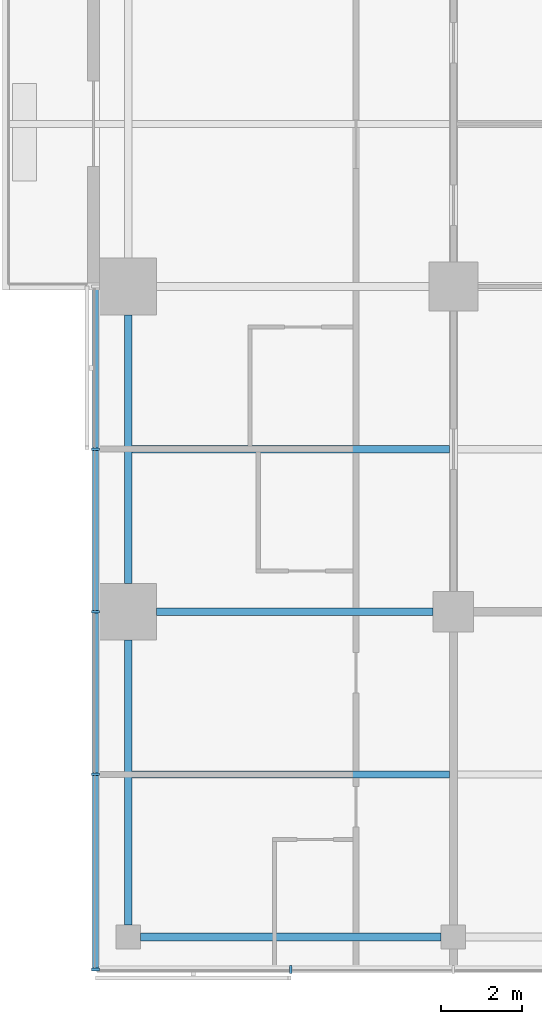
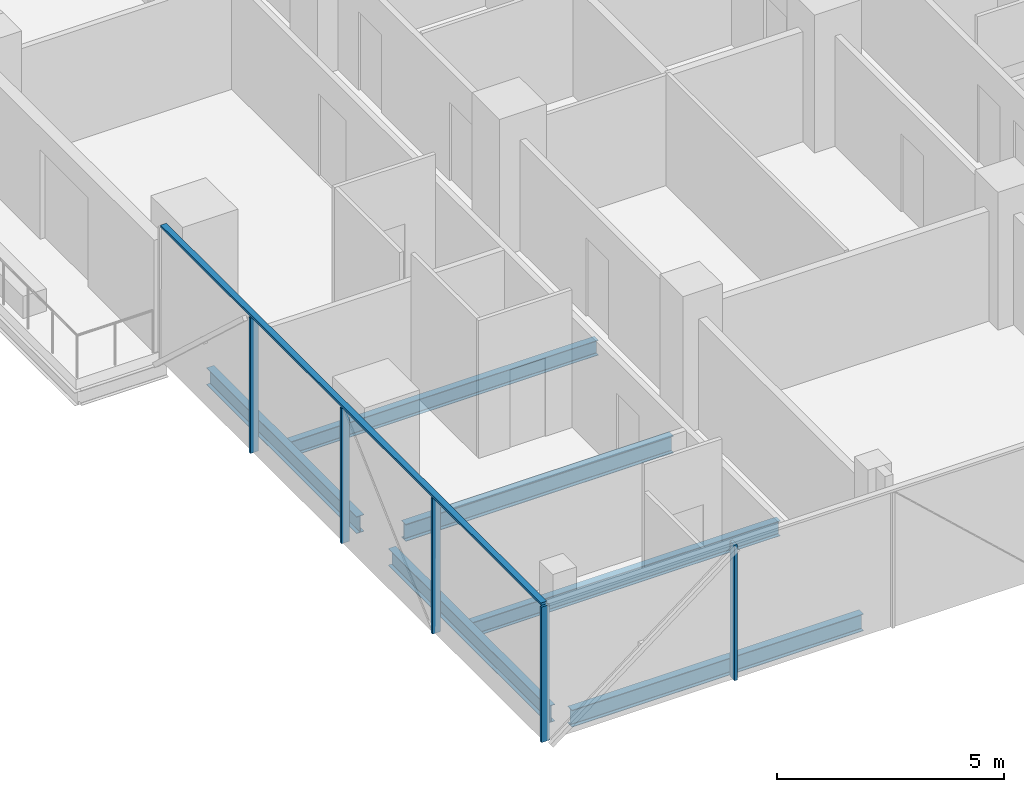
# One storey, part 2 of 27: 6 beams, 6 members, 2 elements without a shape of their own.
"""IFC4 building model written with IfcOpenShell, lengths in metres."""

from ifc_helpers import new_model, si_unit, direction, frame, origin, origin_2d, place, context, subcontext, project, spatial, rectangle, i_section, extrude, material, material_profile, profile_set, type_object, element, aggregate, save


model = new_model("IFC4")

# Units and contexts
model_context = context("Model", 3, precision=1e-05, world=origin(), true_north=direction((0.0, 1.0)))
body_context = subcontext(model_context, "Body", "Model", "MODEL_VIEW")
ifc_project = project(units=[si_unit("LENGTHUNIT", "METRE"), si_unit("AREAUNIT", "SQUARE_METRE"), si_unit("VOLUMEUNIT", "CUBIC_METRE"), si_unit("PLANEANGLEUNIT", "RADIAN"), si_unit("MASSUNIT", "GRAM", prefix="KILO")], contexts=[model_context])

# Site, building, storey
site_placement = place(None, origin())
site = spatial("IfcSite", under=ifc_project, at=site_placement, CompositionType="ELEMENT")
building_placement = place(site_placement, origin())
building = spatial("IfcBuilding", under=site, at=building_placement, Name="Crosswind Convention Tower", CompositionType="ELEMENT")
storey_placement = place(building_placement, frame((0.0, 0.0, 75.699951171875)))
storey = spatial("IfcBuildingStorey", under=building, at=storey_placement, Name="L13", CompositionType="ELEMENT", Elevation=75.699951171875)

# Beams
ifc_material_1 = material(Name="Steel S355", Category="steel")
ifc_material_profile_1 = material_profile(ifc_material_1, i_section(OverallWidth=0.1904296875, OverallDepth=0.457275390625, WebThickness=0.009033203125, FlangeThickness=0.014404296875, FilletRadius=0.01025390625, at=origin_2d()), Name="UB 457x191x75")
ifc_profile_set_1 = profile_set([ifc_material_profile_1], Name="Steel S355")
beam_type_1 = type_object("IfcBeamType", Name="Edge beam UB 457x191x75", PredefinedType="SPANDREL", material=ifc_profile_set_1)
beam_1_placement = place(storey_placement, frame((113.0, 64.300048828125, -0.508544921875), z_axis=(0.0, 1.0, 0.0), x_axis=(-1.0, 0.0, 0.0)))
element("IfcBeam", 1, at=beam_1_placement, inside=storey, type_object=beam_type_1, Name="B17 L13 edge beam 6", PredefinedType="SPANDREL", context=body_context, shape_type="SweptSolid", body=[
    extrude(i_section(OverallWidth=0.1904296875, OverallDepth=0.457275390625, WebThickness=0.009033203125, FlangeThickness=0.014404296875, FilletRadius=0.01025390625, at=origin_2d()), origin(), (0.0, 0.0, 1.0), 7.0),
])
beam_2_placement = place(storey_placement, frame((113.0, 72.699951171875, -0.508544921875), z_axis=(0.0, 1.0, 0.0), x_axis=(-1.0, 0.0, 0.0)))
element("IfcBeam", 2, at=beam_2_placement, inside=storey, type_object=beam_type_1, Name="B17 L13 edge beam 7", PredefinedType="SPANDREL", context=body_context, shape_type="SweptSolid", body=[
    extrude(i_section(OverallWidth=0.1904296875, OverallDepth=0.457275390625, WebThickness=0.009033203125, FlangeThickness=0.014404296875, FilletRadius=0.01025390625, at=origin_2d()), origin(), (0.0, 0.0, 1.0), 6.60009765625),
])
beam_3_placement = place(storey_placement, frame((113.300048828125, 64.0, -0.508544921875), z_axis=(1.0, 0.0, 0.0), x_axis=(0.0, 1.0, 0.0)))
element("IfcBeam", 3, at=beam_3_placement, inside=storey, type_object=beam_type_1, Name="B17 L13 edge beam 12", PredefinedType="SPANDREL", context=body_context, shape_type="SweptSolid", body=[
    extrude(i_section(OverallWidth=0.1904296875, OverallDepth=0.457275390625, WebThickness=0.009033203125, FlangeThickness=0.014404296875, FilletRadius=0.01025390625, at=origin_2d()), origin(), (0.0, 0.0, 1.0), 7.39990234375),
])
ifc_material_profile_2 = material_profile(ifc_material_1, i_section(OverallWidth=0.19140625, OverallDepth=0.460205078125, WebThickness=0.010009765625, FlangeThickness=0.01611328125, FilletRadius=0.01025390625, at=origin_2d()), Name="UB 457x191x82")
ifc_profile_set_2 = profile_set([ifc_material_profile_2], Name="Steel S355")
beam_type_2 = type_object("IfcBeamType", Name="Girder UB 457x191x82", PredefinedType="BEAM", material=ifc_profile_set_2)
beam_4_placement = place(storey_placement, frame((113.699951171875, 72.0, -0.510009765625), z_axis=(1.0, 0.0, 0.0), x_axis=(0.0, 1.0, 0.0)))
element("IfcBeam", 4, at=beam_4_placement, inside=storey, type_object=beam_type_2, Name="B3 L13 girder 1", PredefinedType="BEAM", context=body_context, shape_type="SweptSolid", body=[
    extrude(i_section(OverallWidth=0.19140625, OverallDepth=0.460205078125, WebThickness=0.010009765625, FlangeThickness=0.01611328125, FilletRadius=0.01025390625, at=origin_2d()), origin(), (0.0, 0.0, 1.0), 6.800048828125),
])

# Curtain wall, members
ifc_material_2 = material(Name="Aluminium unitised curtain wall", Category="aluminium")
curtain_wall_type = type_object("IfcCurtainWallType", Name="HOTEL UNITISED WALL 200", PredefinedType="USERDEFINED", material=ifc_material_2)
curtain_wall_1_placement = place(storey_placement, origin())
curtain_wall_1 = element("IfcCurtainWall", 5, at=curtain_wall_1_placement, inside=storey, type_object=curtain_wall_type, Name="CW2 L13 S-W 1", ObjectType="UNITISED", PredefinedType="USERDEFINED")
ifc_material_3 = material(Name="Aluminium mullion", Category="aluminium")
ifc_material_profile_3 = material_profile(ifc_material_3, rectangle(XDim=0.199951171875, YDim=0.06494140625, at=origin_2d()), Name="AL 200X65")
ifc_profile_set_3 = profile_set([ifc_material_profile_3], Name="Aluminium mullion")
member_type_1 = type_object("IfcMemberType", Name="MULLION 65X200", PredefinedType="MULLION", material=ifc_profile_set_3)
member_1_placement = place(storey_placement, frame((112.199951171875, 76.0, -0.280029296875), z_axis=(0.0, 0.0, 1.0), x_axis=(-1.0, 0.0, 0.0)))
member_1 = element("IfcMember", 6, at=member_1_placement, type_object=member_type_1, Name="CW2 mullion 2", PredefinedType="MULLION", context=body_context, shape_type="SweptSolid", body=[
    extrude(rectangle(XDim=0.199951171875, YDim=0.06494140625, at=origin_2d()), origin(), (0.0, 0.0, 1.0), 3.635009765625),
])
member_2_placement = place(storey_placement, frame((112.199951171875, 72.0, -0.280029296875), z_axis=(0.0, 0.0, 1.0), x_axis=(-1.0, 0.0, 0.0)))
member_2 = element("IfcMember", 7, at=member_2_placement, type_object=member_type_1, Name="CW2 mullion 3", PredefinedType="MULLION", context=body_context, shape_type="SweptSolid", body=[
    extrude(rectangle(XDim=0.199951171875, YDim=0.06494140625, at=origin_2d()), origin(), (0.0, 0.0, 1.0), 3.635009765625),
])
member_3_placement = place(storey_placement, frame((112.199951171875, 68.0, -0.280029296875), z_axis=(0.0, 0.0, 1.0), x_axis=(-1.0, 0.0, 0.0)))
member_3 = element("IfcMember", 8, at=member_3_placement, type_object=member_type_1, Name="CW2 mullion 4", PredefinedType="MULLION", context=body_context, shape_type="SweptSolid", body=[
    extrude(rectangle(XDim=0.199951171875, YDim=0.06494140625, at=origin_2d()), origin(), (0.0, 0.0, 1.0), 3.635009765625),
])
member_4_placement = place(storey_placement, frame((112.199951171875, 63.199951171875, -0.280029296875), z_axis=(0.0, 0.0, 1.0), x_axis=(-1.0, 0.0, 0.0)))
member_4 = element("IfcMember", 9, at=member_4_placement, type_object=member_type_1, Name="CW2 mullion 5", PredefinedType="MULLION", context=body_context, shape_type="SweptSolid", body=[
    extrude(rectangle(XDim=0.199951171875, YDim=0.06494140625, at=origin_2d()), origin(), (0.0, 0.0, 1.0), 3.635009765625),
])

# Curtain wall, member
curtain_wall_2_placement = place(storey_placement, origin())
curtain_wall_2 = element("IfcCurtainWall", 10, at=curtain_wall_2_placement, inside=storey, type_object=curtain_wall_type, Name="CW2 L13 S-TIP 1", ObjectType="UNITISED", PredefinedType="USERDEFINED")
member_5_placement = place(storey_placement, frame((117.0, 63.199951171875, -0.280029296875), z_axis=(0.0, 0.0, 1.0), x_axis=(0.0, -1.0, 0.0)))
member_5 = element("IfcMember", 11, at=member_5_placement, type_object=member_type_1, Name="CW2 mullion 2", PredefinedType="MULLION", context=body_context, shape_type="SweptSolid", body=[
    extrude(rectangle(XDim=0.199951171875, YDim=0.06494140625, at=origin_2d()), origin(), (0.0, 0.0, 1.0), 3.635009765625),
])
aggregate(curtain_wall_2, [member_5])

# Beams
ifc_material_profile_4 = material_profile(ifc_material_1, i_section(OverallWidth=0.177734375, OverallDepth=0.406494140625, WebThickness=0.0078125, FlangeThickness=0.0126953125, FilletRadius=0.01025390625, at=origin_2d()), Name="UB 406x178x60")
ifc_profile_set_4 = profile_set([ifc_material_profile_4], Name="Steel S355")
beam_type_3 = type_object("IfcBeamType", Name="Secondary beam UB 406x178x60", PredefinedType="JOIST", material=ifc_profile_set_4)
for number, where, z_axis, x_axis, name in (
    (12, (113.09521484375, 68.0, -0.483154296875), (1.0, 0.0, 0.0), (0.0, 1.0, 0.0), "B10 L13 secondary beam 7"),
    (13, (113.09521484375, 76.0, -0.483154296875), (1.0, 0.0, 0.0), (0.0, 1.0, 0.0), "B10 L13 secondary beam 8"),
):
    element("IfcBeam", number, at=place(storey_placement, frame(where, z_axis=z_axis, x_axis=x_axis)), inside=storey, type_object=beam_type_3, Name=name, PredefinedType="JOIST", context=body_context, shape_type="SweptSolid", body=[
        extrude(i_section(OverallWidth=0.177734375, OverallDepth=0.406494140625, WebThickness=0.0078125, FlangeThickness=0.0126953125, FilletRadius=0.01025390625, at=origin_2d()), origin(), (0.0, 0.0, 1.0), 7.80908203125),
    ])

# Member
ifc_material_4 = material(Name="Aluminium transom", Category="aluminium")
ifc_material_profile_5 = material_profile(ifc_material_4, rectangle(XDim=0.14990234375, YDim=0.06494140625, at=origin_2d()), Name="AL 150X65")
ifc_profile_set_5 = profile_set([ifc_material_profile_5], Name="Aluminium transom")
member_type_2 = type_object("IfcMemberType", Name="TRANSOM 65X150", PredefinedType="USERDEFINED", material=ifc_profile_set_5)
member_6_placement = place(storey_placement, frame((112.199951171875, 79.967529296875, 3.387451171875), z_axis=(0.0, -1.0, 0.0), x_axis=(1.0, 0.0, 0.0)))
member_6 = element("IfcMember", 14, at=member_6_placement, type_object=member_type_2, Name="CW2 transom", ObjectType="TRANSOM", PredefinedType="USERDEFINED", context=body_context, shape_type="SweptSolid", body=[
    extrude(rectangle(XDim=0.14990234375, YDim=0.06494140625, at=origin_2d()), origin(), (0.0, 0.0, 1.0), 16.735107421875),
])

aggregate(curtain_wall_1, [member_1, member_2, member_3, member_4, member_6])

save(model, "model.ifc")
